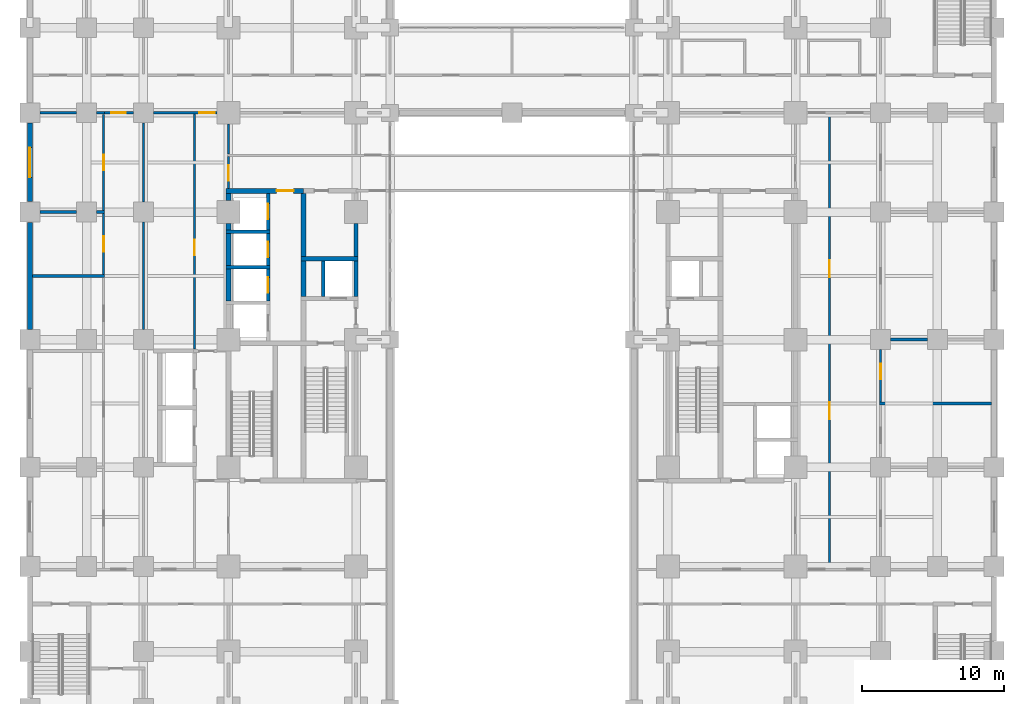
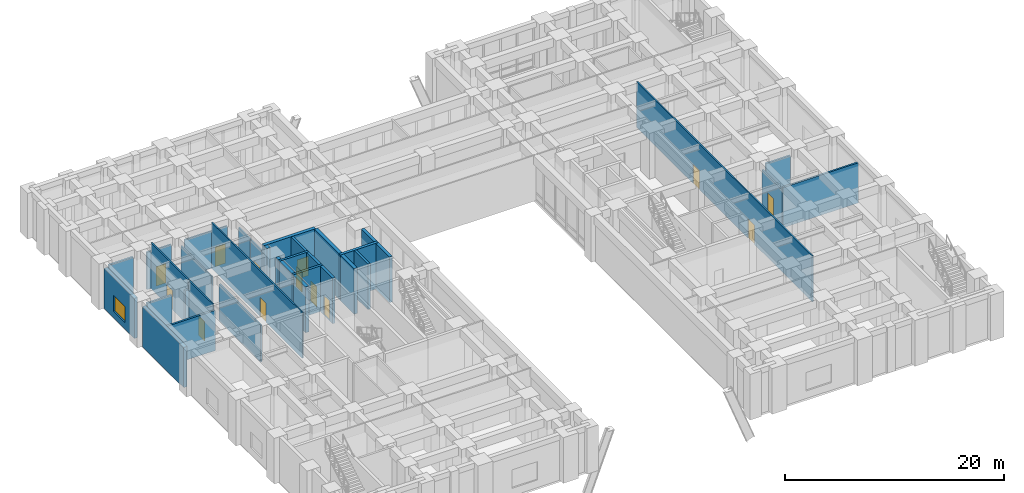
# One storey, part 13 of 23: 36 walls, 13 doors, 1 window, 14 openings.
"""IFC4 building model written with IfcOpenShell, lengths in metres."""

from ifc_helpers import new_model, si_unit, direction, frame, frame_2d, origin, place, context, subcontext, project, spatial, rectangle, extrude, material, layer, layer_set, type_object, element, fill, save


model = new_model("IFC4")

# Units and contexts
model_context = context("Model", 3, precision=1e-05, world=origin(), true_north=direction((0.0, 1.0)))
body_context = subcontext(model_context, "Body", "Model", "MODEL_VIEW")
ifc_project = project(units=[si_unit("LENGTHUNIT", "METRE"), si_unit("AREAUNIT", "SQUARE_METRE"), si_unit("VOLUMEUNIT", "CUBIC_METRE"), si_unit("PLANEANGLEUNIT", "RADIAN"), si_unit("MASSUNIT", "GRAM", prefix="KILO")], contexts=[model_context])

# Site, building, storey
site_placement = place(None, origin())
site = spatial("IfcSite", under=ifc_project, at=site_placement, CompositionType="ELEMENT")
building_placement = place(site_placement, origin())
building = spatial("IfcBuilding", under=site, at=building_placement, Name="Zulmaris Gate Convention Tower", CompositionType="ELEMENT")
storey_placement = place(building_placement, frame((0.0, 0.0, 10.8798828125)))
storey = spatial("IfcBuildingStorey", under=building, at=storey_placement, Name="L02", CompositionType="ELEMENT", Elevation=10.8798828125)

# Walls
ifc_material_1 = material(Name="Concrete C50/60", Category="concrete")
ifc_layer_1 = layer(ifc_material_1, 0.25, Name="Concrete C50/60")
ifc_layer_set_1 = layer_set([ifc_layer_1], Name="Concrete C50/60")
wall_type_1 = type_object("IfcWallType", Name="CORE-250", PredefinedType="SOLIDWALL", material=ifc_layer_set_1)
for number, where, z_axis, x_axis, name in (
    (1, (-20.175048828125, 5.10009765625, 0.0), (0.0, 0.0, 1.0), (1.0, 0.0, 0.0), "WL-L02-019"),
    (2, (-20.175048828125, 7.60009765625, 0.0), (0.0, 0.0, 1.0), (1.0, 0.0, 0.0), "WL-L02-022"),
):
    element("IfcWall", number, at=place(storey_placement, frame(where, z_axis=z_axis, x_axis=x_axis)), inside=storey, type_object=wall_type_1, Name=name, PredefinedType="SOLIDWALL", context=body_context, shape_type="SweptSolid", body=[
        extrude(rectangle(XDim=3.10009765625, YDim=0.25, at=frame_2d((1.550048828125, 0.0))), origin(), (0.0, 0.0, 1.0), 5.09033203125),
    ])

# Wall, opening, door
wall_1_placement = place(storey_placement, frame((-17.199951171875, 2.72705078125, 0.0), z_axis=(0.0, 0.0, 1.0), x_axis=(0.0, 1.0, 0.0)))
wall_1 = element("IfcWall", 3, at=wall_1_placement, inside=storey, type_object=wall_type_1, Name="WL-L02-077", PredefinedType="SOLIDWALL", context=body_context, shape_type="SweptSolid", body=[
    extrude(rectangle(XDim=2.245849609375, YDim=0.25, at=frame_2d((1.123046875, 0.0))), origin(), (0.0, 0.0, 1.0), 5.09033203125),
])
opening_1_placement = place(wall_1_placement, frame((0.572998046875, 0.0, 0.0)))
opening_1 = element("IfcOpeningElement", 4, at=opening_1_placement, cuts=wall_1, Name="Opening D-06", PredefinedType="OPENING", context=body_context, shape_type="SweptSolid", body=[
    extrude(rectangle(XDim=1.10009765625, YDim=2.199951171875, at=frame_2d((0.550048828125, 1.10009765625))), frame((0.0, 0.135009765625, 0.0), z_axis=(0.0, -1.0, 0.0), x_axis=(1.0, 0.0, 0.0)), (0.0, 0.0, 1.0), 0.27001953125),
])
ifc_material_2 = material(Name="Brushed Stainless Steel", Category="steel")
door_type_1 = type_object("IfcDoorType", Name="LD-1100", OperationType="NOTDEFINED", PredefinedType="DOOR", material=ifc_material_2)
door_1_placement = place(opening_1_placement, origin())
door_1 = element("IfcDoor", 5, at=door_1_placement, inside=storey, type_object=door_type_1, Name="L02 Lift Landing Door LP-02 12", OperationType="SLIDING_TO_LEFT", OverallHeight=2.199951171875, OverallWidth=1.10009765625, PredefinedType="DOOR", context=body_context, shape_type="SweptSolid", body=[
    extrude(rectangle(XDim=1.10009765625, YDim=2.199951171875, at=frame_2d((0.550048828125, 1.10009765625))), frame((0.0, 0.02490234375, 0.0), z_axis=(0.0, -1.0, 0.0), x_axis=(1.0, 0.0, 0.0)), (0.0, 0.0, 1.0), 0.050048828125),
])
fill(opening_1, door_1)

wall_2_placement = place(storey_placement, frame((-17.199951171875, 5.22705078125, 0.0), z_axis=(0.0, 0.0, 1.0), x_axis=(0.0, 1.0, 0.0)))
wall_2 = element("IfcWall", 6, at=wall_2_placement, inside=storey, type_object=wall_type_1, Name="WL-L02-078", PredefinedType="SOLIDWALL", context=body_context, shape_type="SweptSolid", body=[
    extrude(rectangle(XDim=2.245849609375, YDim=0.25, at=frame_2d((1.123046875, 0.0))), origin(), (0.0, 0.0, 1.0), 5.09033203125),
])
opening_2_placement = place(wall_2_placement, frame((0.572998046875, 0.0, 0.0)))
opening_2 = element("IfcOpeningElement", 7, at=opening_2_placement, cuts=wall_2, Name="Opening D-06", PredefinedType="OPENING", context=body_context, shape_type="SweptSolid", body=[
    extrude(rectangle(XDim=1.10009765625, YDim=2.199951171875, at=frame_2d((0.550048828125, 1.10009765625))), frame((0.0, 0.135009765625, 0.0), z_axis=(0.0, -1.0, 0.0), x_axis=(1.0, 0.0, 0.0)), (0.0, 0.0, 1.0), 0.27001953125),
])
door_2_placement = place(opening_2_placement, origin())
door_2 = element("IfcDoor", 8, at=door_2_placement, inside=storey, type_object=door_type_1, Name="L02 Lift Landing Door LP-03 13", OperationType="SLIDING_TO_LEFT", OverallHeight=2.199951171875, OverallWidth=1.10009765625, PredefinedType="DOOR", context=body_context, shape_type="SweptSolid", body=[
    extrude(rectangle(XDim=1.10009765625, YDim=2.199951171875, at=frame_2d((0.550048828125, 1.10009765625))), frame((0.0, 0.02490234375, 0.0), z_axis=(0.0, -1.0, 0.0), x_axis=(1.0, 0.0, 0.0)), (0.0, 0.0, 1.0), 0.050048828125),
])
fill(opening_2, door_2)

wall_3_placement = place(storey_placement, frame((-17.199951171875, 7.72705078125, 0.0), z_axis=(0.0, 0.0, 1.0), x_axis=(0.0, 1.0, 0.0)))
wall_3 = element("IfcWall", 9, at=wall_3_placement, inside=storey, type_object=wall_type_1, Name="WL-L02-079", PredefinedType="SOLIDWALL", context=body_context, shape_type="SweptSolid", body=[
    extrude(rectangle(XDim=2.595947265625, YDim=0.25, at=frame_2d((1.2978515625, 0.0))), origin(), (0.0, 0.0, 1.0), 5.09033203125),
])
opening_3_placement = place(wall_3_placement, frame((0.77294921875, 0.0, 0.0)))
opening_3 = element("IfcOpeningElement", 10, at=opening_3_placement, cuts=wall_3, Name="Opening D-06", PredefinedType="OPENING", context=body_context, shape_type="SweptSolid", body=[
    extrude(rectangle(XDim=1.10009765625, YDim=2.199951171875, at=frame_2d((0.550048828125, 1.10009765625))), frame((0.0, 0.135009765625, 0.0), z_axis=(0.0, -1.0, 0.0), x_axis=(1.0, 0.0, 0.0)), (0.0, 0.0, 1.0), 0.27001953125),
])
door_3_placement = place(opening_3_placement, origin())
door_3 = element("IfcDoor", 11, at=door_3_placement, inside=storey, type_object=door_type_1, Name="L02 Lift Landing Door LP-04 14", OperationType="SLIDING_TO_LEFT", OverallHeight=2.199951171875, OverallWidth=1.10009765625, PredefinedType="DOOR", context=body_context, shape_type="SweptSolid", body=[
    extrude(rectangle(XDim=1.10009765625, YDim=2.199951171875, at=frame_2d((0.550048828125, 1.10009765625))), frame((0.0, 0.02490234375, 0.0), z_axis=(0.0, -1.0, 0.0), x_axis=(1.0, 0.0, 0.0)), (0.0, 0.0, 1.0), 0.050048828125),
])
fill(opening_3, door_3)

# Walls
wall_4_placement = place(storey_placement, frame((-13.300048828125, 3.052001953125, 0.0), z_axis=(0.0, 0.0, 1.0), x_axis=(0.0, 1.0, 0.0)))
element("IfcWall", 12, at=wall_4_placement, inside=storey, type_object=wall_type_1, Name="WL-L02-085", PredefinedType="SOLIDWALL", context=body_context, shape_type="SweptSolid", body=[
    extrude(rectangle(XDim=2.49609375, YDim=0.25, at=frame_2d((1.248046875, 0.0))), origin(), (0.0, 0.0, 1.0), 5.09033203125),
])
ifc_layer_2 = layer(ifc_material_1, 0.300048828125, Name="Concrete C50/60")
ifc_layer_set_2 = layer_set([ifc_layer_2], Name="Concrete C50/60")
wall_type_2 = type_object("IfcWallType", Name="CORE-300", PredefinedType="SHEAR", material=ifc_layer_set_2)
wall_5_placement = place(storey_placement, frame((-14.875, 5.699951171875, 0.0), z_axis=(0.0, 0.0, 1.0), x_axis=(1.0, 0.0, 0.0)))
element("IfcWall", 13, at=wall_5_placement, inside=storey, type_object=wall_type_2, Name="WL-L02-020", PredefinedType="SHEAR", context=body_context, shape_type="SweptSolid", body=[
    extrude(rectangle(XDim=4.02490234375, YDim=0.300048828125, at=frame_2d((2.012451171875, 0.0))), origin(), (0.0, 0.0, 1.0), 5.09033203125),
])
wall_6_placement = place(storey_placement, frame((-11.0, 3.052001953125, 0.0), z_axis=(0.0, 0.0, 1.0), x_axis=(0.0, 1.0, 0.0)))
element("IfcWall", 14, at=wall_6_placement, inside=storey, type_object=wall_type_2, Name="WL-L02-089", PredefinedType="SHEAR", context=body_context, shape_type="SweptSolid", body=[
    extrude(rectangle(XDim=2.49609375, YDim=0.300048828125, at=frame_2d((1.248046875, 0.0))), origin(), (0.0, 0.0, 1.0), 5.09033203125),
])
wall_7_placement = place(storey_placement, frame((-11.0, 5.85205078125, 0.0), z_axis=(0.0, 0.0, 1.0), x_axis=(0.0, 1.0, 0.0)))
element("IfcWall", 15, at=wall_7_placement, inside=storey, type_object=wall_type_2, Name="WL-L02-090", PredefinedType="SHEAR", context=body_context, shape_type="SweptSolid", body=[
    extrude(rectangle(XDim=2.343994140625, YDim=0.300048828125, at=frame_2d((1.171875, 0.0))), origin(), (0.0, 0.0, 1.0), 5.09033203125),
])

# Wall, opening, door
ifc_material_3 = material(Name="Concrete C55/67", Category="concrete")
ifc_layer_3 = layer(ifc_material_3, 0.35009765625, Name="Concrete C55/67")
ifc_layer_set_3 = layer_set([ifc_layer_3], Name="Concrete C55/67")
wall_type_3 = type_object("IfcWallType", Name="CORE-350", PredefinedType="SHEAR", material=ifc_layer_set_3)
wall_8_placement = place(storey_placement, frame((-20.175048828125, 10.5, 0.0), z_axis=(0.0, 0.0, 1.0), x_axis=(1.0, 0.0, 0.0)))
wall_8 = element("IfcWall", 16, at=wall_8_placement, inside=storey, type_object=wall_type_3, Name="WL-L02-023", PredefinedType="SHEAR", context=body_context, shape_type="SweptSolid", body=[
    extrude(rectangle(XDim=5.47509765625, YDim=0.35009765625, at=frame_2d((2.737548828125, 0.0))), origin(), (0.0, 0.0, 1.0), 5.09033203125),
])
opening_4_placement = place(wall_8_placement, frame((3.574951171875, 0.0, 0.0)))
opening_4 = element("IfcOpeningElement", 17, at=opening_4_placement, cuts=wall_8, Name="Opening D-13", PredefinedType="OPENING", context=body_context, shape_type="SweptSolid", body=[
    extrude(rectangle(XDim=1.199951171875, YDim=2.14990234375, at=frame_2d((0.60009765625, 1.074951171875))), frame((0.0, 0.18505859375, 0.0), z_axis=(0.0, -1.0, 0.0), x_axis=(1.0, 0.0, 0.0)), (0.0, 0.0, 1.0), 0.3701171875),
])
ifc_material_4 = material(Name="Fire-Rated Steel", Category="steel")
door_type_2 = type_object("IfcDoorType", Name="DR-1200-FD", OperationType="NOTDEFINED", PredefinedType="DOOR", material=ifc_material_4)
door_4_placement = place(opening_4_placement, origin())
door_4 = element("IfcDoor", 18, at=door_4_placement, inside=storey, type_object=door_type_2, Name="L02 Low-Rise Lift Lobby Door 10", OperationType="SINGLE_SWING_LEFT", OverallHeight=2.14990234375, OverallWidth=1.199951171875, PredefinedType="DOOR", context=body_context, shape_type="SweptSolid", body=[
    extrude(rectangle(XDim=1.199951171875, YDim=2.14990234375, at=frame_2d((0.60009765625, 1.074951171875))), frame((0.0, 0.02490234375, 0.0), z_axis=(0.0, -1.0, 0.0), x_axis=(1.0, 0.0, 0.0)), (0.0, 0.0, 1.0), 0.050048828125),
])
fill(opening_4, door_4)

# Walls
for number, where, z_axis, x_axis, name in (
    (19, (-20.0, 2.72705078125, 0.0), (0.0, 0.0, 1.0), (0.0, 1.0, 0.0), "WL-L02-073"),
    (20, (-20.0, 5.22705078125, 0.0), (0.0, 0.0, 1.0), (0.0, 1.0, 0.0), "WL-L02-074"),
):
    element("IfcWall", number, at=place(storey_placement, frame(where, z_axis=z_axis, x_axis=x_axis)), inside=storey, type_object=wall_type_3, Name=name, PredefinedType="SHEAR", context=body_context, shape_type="SweptSolid", body=[
        extrude(rectangle(XDim=2.245849609375, YDim=0.35009765625, at=frame_2d((1.123046875, 0.0))), origin(), (0.0, 0.0, 1.0), 5.09033203125),
    ])
wall_9_placement = place(storey_placement, frame((-20.0, 7.72705078125, 0.0), z_axis=(0.0, 0.0, 1.0), x_axis=(0.0, 1.0, 0.0)))
element("IfcWall", 21, at=wall_9_placement, inside=storey, type_object=wall_type_3, Name="WL-L02-075", PredefinedType="SHEAR", context=body_context, shape_type="SweptSolid", body=[
    extrude(rectangle(XDim=0.468994140625, YDim=0.35009765625, at=frame_2d((0.234375, 0.0))), origin(), (0.0, 0.0, 1.0), 5.09033203125),
])
wall_10_placement = place(storey_placement, frame((-20.0, 9.803955078125, 0.0), z_axis=(0.0, 0.0, 1.0), x_axis=(0.0, 1.0, 0.0)))
element("IfcWall", 22, at=wall_10_placement, inside=storey, type_object=wall_type_3, Name="WL-L02-075S1", PredefinedType="SHEAR", context=body_context, shape_type="SweptSolid", body=[
    extrude(rectangle(XDim=0.51904296875, YDim=0.35009765625, at=frame_2d((0.259521484375, 0.0))), origin(), (0.0, 0.0, 1.0), 5.09033203125),
])
wall_11_placement = place(storey_placement, frame((-14.699951171875, 3.052001953125, 0.0), z_axis=(0.0, 0.0, 1.0), x_axis=(0.0, 1.0, 0.0)))
element("IfcWall", 23, at=wall_11_placement, inside=storey, type_object=wall_type_3, Name="WL-L02-083", PredefinedType="SHEAR", context=body_context, shape_type="SweptSolid", body=[
    extrude(rectangle(XDim=2.49609375, YDim=0.35009765625, at=frame_2d((1.248046875, 0.0))), origin(), (0.0, 0.0, 1.0), 5.09033203125),
])
wall_12_placement = place(storey_placement, frame((-14.699951171875, 5.85205078125, 0.0), z_axis=(0.0, 0.0, 1.0), x_axis=(0.0, 1.0, 0.0)))
element("IfcWall", 24, at=wall_12_placement, inside=storey, type_object=wall_type_3, Name="WL-L02-084", PredefinedType="SHEAR", context=body_context, shape_type="SweptSolid", body=[
    extrude(rectangle(XDim=4.470947265625, YDim=0.35009765625, at=frame_2d((2.2353515625, 0.0))), origin(), (0.0, 0.0, 1.0), 5.09033203125),
])

# Wall, opening, door
ifc_material_5 = material(Name="Gypsum Metal Stud Partition")
ifc_layer_4 = layer(ifc_material_5, 0.14990234375, Name="Gypsum Metal Stud Partition")
ifc_layer_set_4 = layer_set([ifc_layer_4], Name="Gypsum Metal Stud Partition")
wall_type_4 = type_object("IfcWallType", Name="PART-150", PredefinedType="PARTITIONING", material=ifc_layer_set_4)
wall_13_placement = place(storey_placement, frame((-28.875, 16.0, 0.0), z_axis=(0.0, 0.0, 1.0), x_axis=(1.0, 0.0, 0.0)))
wall_13 = element("IfcWall", 25, at=wall_13_placement, inside=storey, type_object=wall_type_4, Name="WL-L02-056", PredefinedType="PARTITIONING", context=body_context, shape_type="SweptSolid", body=[
    extrude(rectangle(XDim=2.1689453125, YDim=0.14990234375, at=frame_2d((1.08447265625, 0.0))), origin(), (0.0, 0.0, 1.0), 4.13232421875),
])
opening_5_placement = place(wall_13_placement, frame((0.60009765625, 0.0, 0.0)))
opening_5 = element("IfcOpeningElement", 26, at=opening_5_placement, cuts=wall_13, Name="Opening D-09", PredefinedType="OPENING", context=body_context, shape_type="SweptSolid", body=[
    extrude(rectangle(XDim=1.050048828125, YDim=2.14990234375, at=frame_2d((0.52490234375, 1.074951171875))), frame((0.0, 0.0849609375, 0.0), z_axis=(0.0, -1.0, 0.0), x_axis=(1.0, 0.0, 0.0)), (0.0, 0.0, 1.0), 0.169921875),
])
door_type_3 = type_object("IfcDoorType", Name="DR-1050-FD", OperationType="NOTDEFINED", PredefinedType="DOOR", material=ifc_material_4)
door_5_placement = place(opening_5_placement, origin())
door_5 = element("IfcDoor", 27, at=door_5_placement, inside=storey, type_object=door_type_3, Name="L02 West Promenade North Concourse Door 60", OperationType="SINGLE_SWING_LEFT", OverallHeight=2.14990234375, OverallWidth=1.050048828125, PredefinedType="DOOR", context=body_context, shape_type="SweptSolid", body=[
    extrude(rectangle(XDim=1.050048828125, YDim=2.14990234375, at=frame_2d((0.52490234375, 1.074951171875))), frame((0.0, 0.02490234375, 0.0), z_axis=(0.0, -1.0, 0.0), x_axis=(1.0, 0.0, 0.0)), (0.0, 0.0, 1.0), 0.050048828125),
])
fill(opening_5, door_5)

wall_14_placement = place(storey_placement, frame((-25.2939453125, 16.0, 0.0), z_axis=(0.0, 0.0, 1.0), x_axis=(1.0, 0.0, 0.0)))
wall_14 = element("IfcWall", 28, at=wall_14_placement, inside=storey, type_object=wall_type_4, Name="WL-L02-056S1", PredefinedType="PARTITIONING", context=body_context, shape_type="SweptSolid", body=[
    extrude(rectangle(XDim=4.488037109375, YDim=0.14990234375, at=frame_2d((2.244140625, 0.0))), origin(), (0.0, 0.0, 1.0), 4.13232421875),
])
opening_6_placement = place(wall_14_placement, frame((3.238037109375, 0.0, 0.0)))
opening_6 = element("IfcOpeningElement", 29, at=opening_6_placement, cuts=wall_14, Name="Opening D-08", PredefinedType="OPENING", context=body_context, shape_type="SweptSolid", body=[
    extrude(rectangle(XDim=1.10009765625, YDim=2.14990234375, at=frame_2d((0.550048828125, 1.074951171875))), frame((0.0, 0.0849609375, 0.0), z_axis=(0.0, -1.0, 0.0), x_axis=(1.0, 0.0, 0.0)), (0.0, 0.0, 1.0), 0.169921875),
])
door_type_4 = type_object("IfcDoorType", Name="DR-1100-FD", OperationType="NOTDEFINED", PredefinedType="DOOR", material=ifc_material_4)
door_6_placement = place(opening_6_placement, origin())
door_6 = element("IfcDoor", 30, at=door_6_placement, inside=storey, type_object=door_type_4, Name="L02 West Concourse Link Door 31", OperationType="SINGLE_SWING_RIGHT", OverallHeight=2.14990234375, OverallWidth=1.10009765625, PredefinedType="DOOR", context=body_context, shape_type="SweptSolid", body=[
    extrude(rectangle(XDim=1.10009765625, YDim=2.14990234375, at=frame_2d((0.550048828125, 1.074951171875))), frame((0.0, 0.02490234375, 0.0), z_axis=(0.0, -1.0, 0.0), x_axis=(1.0, 0.0, 0.0)), (0.0, 0.0, 1.0), 0.050048828125),
])
fill(opening_6, door_6)

wall_15_placement = place(storey_placement, frame((-28.800048828125, 4.60302734375, 0.0), z_axis=(0.0, 0.0, 1.0), x_axis=(0.0, 1.0, 0.0)))
wall_15 = element("IfcWall", 31, at=wall_15_placement, inside=storey, type_object=wall_type_4, Name="WL-L02-112", PredefinedType="PARTITIONING", context=body_context, shape_type="SweptSolid", body=[
    extrude(rectangle(XDim=4.2939453125, YDim=0.14990234375, at=frame_2d((2.14697265625, 0.0))), origin(), (0.0, 0.0, 1.0), 5.09033203125),
])
opening_7_placement = place(wall_15_placement, frame((1.596923828125, 0.0, 0.0)))
opening_7 = element("IfcOpeningElement", 32, at=opening_7_placement, cuts=wall_15, Name="Opening D-08", PredefinedType="OPENING", context=body_context, shape_type="SweptSolid", body=[
    extrude(rectangle(XDim=1.10009765625, YDim=2.14990234375, at=frame_2d((0.550048828125, 1.074951171875))), frame((0.0, 0.0849609375, 0.0), z_axis=(0.0, -1.0, 0.0), x_axis=(1.0, 0.0, 0.0)), (0.0, 0.0, 1.0), 0.169921875),
])
door_7_placement = place(opening_7_placement, origin())
door_7 = element("IfcDoor", 33, at=door_7_placement, inside=storey, type_object=door_type_4, Name="L02 West Room WU2 Door 64", OperationType="SINGLE_SWING_LEFT", OverallHeight=2.14990234375, OverallWidth=1.10009765625, PredefinedType="DOOR", context=body_context, shape_type="SweptSolid", body=[
    extrude(rectangle(XDim=1.10009765625, YDim=2.14990234375, at=frame_2d((0.550048828125, 1.074951171875))), frame((0.0, 0.02490234375, 0.0), z_axis=(0.0, -1.0, 0.0), x_axis=(1.0, 0.0, 0.0)), (0.0, 0.0, 1.0), 0.050048828125),
])
fill(opening_7, door_7)

wall_16_placement = place(storey_placement, frame((-28.800048828125, 9.10302734375, 0.0), z_axis=(0.0, 0.0, 1.0), x_axis=(0.0, 1.0, 0.0)))
wall_16 = element("IfcWall", 34, at=wall_16_placement, inside=storey, type_object=wall_type_4, Name="WL-L02-113", PredefinedType="PARTITIONING", context=body_context, shape_type="SweptSolid", body=[
    extrude(rectangle(XDim=6.7939453125, YDim=0.14990234375, at=frame_2d((3.39697265625, 0.0))), origin(), (0.0, 0.0, 1.0), 5.09033203125),
])
opening_8_placement = place(wall_16_placement, frame((2.846923828125, 0.0, 0.0)))
opening_8 = element("IfcOpeningElement", 35, at=opening_8_placement, cuts=wall_16, Name="Opening D-08", PredefinedType="OPENING", context=body_context, shape_type="SweptSolid", body=[
    extrude(rectangle(XDim=1.10009765625, YDim=2.14990234375, at=frame_2d((0.550048828125, 1.074951171875))), frame((0.0, 0.0849609375, 0.0), z_axis=(0.0, -1.0, 0.0), x_axis=(1.0, 0.0, 0.0)), (0.0, 0.0, 1.0), 0.169921875),
])
door_8_placement = place(opening_8_placement, origin())
door_8 = element("IfcDoor", 36, at=door_8_placement, inside=storey, type_object=door_type_4, Name="L02 West Room WU3 Door 65", OperationType="SINGLE_SWING_RIGHT", OverallHeight=2.14990234375, OverallWidth=1.10009765625, PredefinedType="DOOR", context=body_context, shape_type="SweptSolid", body=[
    extrude(rectangle(XDim=1.10009765625, YDim=2.14990234375, at=frame_2d((0.550048828125, 1.074951171875))), frame((0.0, 0.02490234375, 0.0), z_axis=(0.0, -1.0, 0.0), x_axis=(1.0, 0.0, 0.0)), (0.0, 0.0, 1.0), 0.050048828125),
])
fill(opening_8, door_8)

# Walls
wall_17_placement = place(storey_placement, frame((-26.0, 0.7060546875, 0.0), z_axis=(0.0, 0.0, 1.0), x_axis=(0.0, 1.0, 0.0)))
element("IfcWall", 37, at=wall_17_placement, inside=storey, type_object=wall_type_4, Name="WL-L02-118", PredefinedType="PARTITIONING", context=body_context, shape_type="SweptSolid", body=[
    extrude(rectangle(XDim=7.587890625, YDim=0.14990234375, at=frame_2d((3.7939453125, 0.0))), origin(), (0.0, 0.0, 1.0), 4.13232421875),
])
wall_18_placement = place(storey_placement, frame((-26.0, 9.7060546875, 0.0), z_axis=(0.0, 0.0, 1.0), x_axis=(0.0, 1.0, 0.0)))
element("IfcWall", 38, at=wall_18_placement, inside=storey, type_object=wall_type_4, Name="WL-L02-118S1", PredefinedType="PARTITIONING", context=body_context, shape_type="SweptSolid", body=[
    extrude(rectangle(XDim=5.587890625, YDim=0.14990234375, at=frame_2d((2.7939453125, 0.0))), origin(), (0.0, 0.0, 1.0), 4.13232421875),
])

# Wall, opening, door
wall_19_placement = place(storey_placement, frame((-22.39990234375, -0.64697265625, 0.0), z_axis=(0.0, 0.0, 1.0), x_axis=(0.0, 1.0, 0.0)))
wall_19 = element("IfcWall", 39, at=wall_19_placement, inside=storey, type_object=wall_type_4, Name="WL-L02-122", PredefinedType="PARTITIONING", context=body_context, shape_type="SweptSolid", body=[
    extrude(rectangle(XDim=16.569091796875, YDim=0.14990234375, at=frame_2d((8.28466796875, 0.0))), origin(), (0.0, 0.0, 1.0), 5.09033203125),
])
opening_9_placement = place(wall_19_placement, frame((6.596923828125, 0.0, 0.0)))
opening_9 = element("IfcOpeningElement", 40, at=opening_9_placement, cuts=wall_19, Name="Opening D-08", PredefinedType="OPENING", context=body_context, shape_type="SweptSolid", body=[
    extrude(rectangle(XDim=1.10009765625, YDim=2.14990234375, at=frame_2d((0.550048828125, 1.074951171875))), frame((0.0, 0.0849609375, 0.0), z_axis=(0.0, -1.0, 0.0), x_axis=(1.0, 0.0, 0.0)), (0.0, 0.0, 1.0), 0.169921875),
])
door_9_placement = place(opening_9_placement, origin())
door_9 = element("IfcDoor", 41, at=door_9_placement, inside=storey, type_object=door_type_4, Name="L02 West Delegate Lounge Door 27", OperationType="SINGLE_SWING_RIGHT", OverallHeight=2.14990234375, OverallWidth=1.10009765625, PredefinedType="DOOR", context=body_context, shape_type="SweptSolid", body=[
    extrude(rectangle(XDim=1.10009765625, YDim=2.14990234375, at=frame_2d((0.550048828125, 1.074951171875))), frame((0.0, 0.02490234375, 0.0), z_axis=(0.0, -1.0, 0.0), x_axis=(1.0, 0.0, 0.0)), (0.0, 0.0, 1.0), 0.050048828125),
])
fill(opening_9, door_9)

wall_20_placement = place(storey_placement, frame((-20.0, 10.677978515625, 0.0), z_axis=(0.0, 0.0, 1.0), x_axis=(0.0, 1.0, 0.0)))
wall_20 = element("IfcWall", 42, at=wall_20_placement, inside=storey, type_object=wall_type_4, Name="WL-L02-125", PredefinedType="PARTITIONING", context=body_context, shape_type="SweptSolid", body=[
    extrude(rectangle(XDim=2.244140625, YDim=0.14990234375, at=frame_2d((1.1220703125, 0.0))), origin(), (0.0, 0.0, 1.0), 4.13232421875),
])
opening_10_placement = place(wall_20_placement, frame((0.52197265625, 0.0, 0.0)))
opening_10 = element("IfcOpeningElement", 43, at=opening_10_placement, cuts=wall_20, Name="Opening D-08", PredefinedType="OPENING", context=body_context, shape_type="SweptSolid", body=[
    extrude(rectangle(XDim=1.10009765625, YDim=2.14990234375, at=frame_2d((0.550048828125, 1.074951171875))), frame((0.0, 0.0849609375, 0.0), z_axis=(0.0, -1.0, 0.0), x_axis=(1.0, 0.0, 0.0)), (0.0, 0.0, 1.0), 0.169921875),
])
door_10_placement = place(opening_10_placement, origin())
door_10 = element("IfcDoor", 44, at=door_10_placement, inside=storey, type_object=door_type_4, Name="L02 West Passage North Door 39", OperationType="SINGLE_SWING_RIGHT", OverallHeight=2.14990234375, OverallWidth=1.10009765625, PredefinedType="DOOR", context=body_context, shape_type="SweptSolid", body=[
    extrude(rectangle(XDim=1.10009765625, YDim=2.14990234375, at=frame_2d((0.550048828125, 1.074951171875))), frame((0.0, 0.02490234375, 0.0), z_axis=(0.0, -1.0, 0.0), x_axis=(1.0, 0.0, 0.0)), (0.0, 0.0, 1.0), 0.050048828125),
])
fill(opening_10, door_10)

# Wall
wall_21_placement = place(storey_placement, frame((-20.0, 13.077880859375, 0.0), z_axis=(0.0, 0.0, 1.0), x_axis=(0.0, 1.0, 0.0)))
element("IfcWall", 45, at=wall_21_placement, inside=storey, type_object=wall_type_4, Name="WL-L02-126", PredefinedType="PARTITIONING", context=body_context, shape_type="SweptSolid", body=[
    extrude(rectangle(XDim=2.1162109375, YDim=0.14990234375, at=frame_2d((1.05810546875, 0.0))), origin(), (0.0, 0.0, 1.0), 4.13232421875),
])

# Wall, openings, doors
wall_22_placement = place(storey_placement, frame((22.39990234375, -16.1220703125, 0.0), z_axis=(0.0, 0.0, 1.0), x_axis=(0.0, 1.0, 0.0)))
wall_22 = element("IfcWall", 46, at=wall_22_placement, inside=storey, type_object=wall_type_4, Name="WL-L02-146", PredefinedType="PARTITIONING", context=body_context, shape_type="SweptSolid", body=[
    extrude(rectangle(XDim=32.044189453125, YDim=0.14990234375, at=frame_2d((16.02197265625, 0.0))), origin(), (0.0, 0.0, 1.0), 5.09033203125),
])
opening_11_placement = place(wall_22_placement, frame((10.52197265625, 0.0, 0.0)))
opening_11 = element("IfcOpeningElement", 47, at=opening_11_placement, cuts=wall_22, Name="Opening D-13", PredefinedType="OPENING", context=body_context, shape_type="SweptSolid", body=[
    extrude(rectangle(XDim=1.199951171875, YDim=2.14990234375, at=frame_2d((0.60009765625, 1.074951171875))), frame((0.0, 0.0849609375, 0.0), z_axis=(0.0, -1.0, 0.0), x_axis=(1.0, 0.0, 0.0)), (0.0, 0.0, 1.0), 0.169921875),
])
opening_12_placement = place(wall_22_placement, frame((20.52197265625, 0.0, 0.0)))
opening_12 = element("IfcOpeningElement", 48, at=opening_12_placement, cuts=wall_22, Name="Opening D-13", PredefinedType="OPENING", context=body_context, shape_type="SweptSolid", body=[
    extrude(rectangle(XDim=1.199951171875, YDim=2.14990234375, at=frame_2d((0.60009765625, 1.074951171875))), frame((0.0, 0.0849609375, 0.0), z_axis=(0.0, -1.0, 0.0), x_axis=(1.0, 0.0, 0.0)), (0.0, 0.0, 1.0), 0.169921875),
])
door_11_placement = place(opening_11_placement, origin())
door_11 = element("IfcDoor", 49, at=door_11_placement, inside=storey, type_object=door_type_2, Name="L02 East Promenade South Link Door 66", OperationType="SINGLE_SWING_LEFT", OverallHeight=2.14990234375, OverallWidth=1.199951171875, PredefinedType="DOOR", context=body_context, shape_type="SweptSolid", body=[
    extrude(rectangle(XDim=1.199951171875, YDim=2.14990234375, at=frame_2d((0.60009765625, 1.074951171875))), frame((0.0, 0.02490234375, 0.0), z_axis=(0.0, -1.0, 0.0), x_axis=(1.0, 0.0, 0.0)), (0.0, 0.0, 1.0), 0.050048828125),
])
fill(opening_11, door_11)
door_12_placement = place(opening_12_placement, origin())
door_12 = element("IfcDoor", 50, at=door_12_placement, inside=storey, type_object=door_type_2, Name="L02 East Promenade North Link Door 67", OperationType="SINGLE_SWING_RIGHT", OverallHeight=2.14990234375, OverallWidth=1.199951171875, PredefinedType="DOOR", context=body_context, shape_type="SweptSolid", body=[
    extrude(rectangle(XDim=1.199951171875, YDim=2.14990234375, at=frame_2d((0.60009765625, 1.074951171875))), frame((0.0, 0.02490234375, 0.0), z_axis=(0.0, -1.0, 0.0), x_axis=(1.0, 0.0, 0.0)), (0.0, 0.0, 1.0), 0.050048828125),
])
fill(opening_12, door_12)

# Wall, opening, door
wall_23_placement = place(storey_placement, frame((26.0, -4.39697265625, 0.0), z_axis=(0.0, 0.0, 1.0), x_axis=(0.0, 1.0, 0.0)))
wall_23 = element("IfcWall", 51, at=wall_23_placement, inside=storey, type_object=wall_type_4, Name="WL-L02-151", PredefinedType="PARTITIONING", context=body_context, shape_type="SweptSolid", body=[
    extrude(rectangle(XDim=3.69091796875, YDim=0.14990234375, at=frame_2d((1.845458984375, 0.0))), origin(), (0.0, 0.0, 1.0), 4.13232421875),
])
opening_13_placement = place(wall_23_placement, frame((1.596923828125, 0.0, 0.0)))
opening_13 = element("IfcOpeningElement", 52, at=opening_13_placement, cuts=wall_23, Name="Opening D-08", PredefinedType="OPENING", context=body_context, shape_type="SweptSolid", body=[
    extrude(rectangle(XDim=1.10009765625, YDim=2.14990234375, at=frame_2d((0.550048828125, 1.074951171875))), frame((0.0, 0.0849609375, 0.0), z_axis=(0.0, -1.0, 0.0), x_axis=(1.0, 0.0, 0.0)), (0.0, 0.0, 1.0), 0.169921875),
])
door_13_placement = place(opening_13_placement, origin())
door_13 = element("IfcDoor", 53, at=door_13_placement, inside=storey, type_object=door_type_4, Name="L02 East Room E3 Door 72", OperationType="SINGLE_SWING_LEFT", OverallHeight=2.14990234375, OverallWidth=1.10009765625, PredefinedType="DOOR", context=body_context, shape_type="SweptSolid", body=[
    extrude(rectangle(XDim=1.10009765625, YDim=2.14990234375, at=frame_2d((0.550048828125, 1.074951171875))), frame((0.0, 0.02490234375, 0.0), z_axis=(0.0, -1.0, 0.0), x_axis=(1.0, 0.0, 0.0)), (0.0, 0.0, 1.0), 0.050048828125),
])
fill(opening_13, door_13)

# Walls
ifc_material_6 = material(Name="Autoclaved Aerated Concrete Block and Plasterboard", Category="concrete")
ifc_layer_5 = layer(ifc_material_6, 0.199951171875, Name="Autoclaved Aerated Concrete Block and Plasterboard")
ifc_layer_set_5 = layer_set([ifc_layer_5], Name="Autoclaved Aerated Concrete Block and Plasterboard")
wall_type_5 = type_object("IfcWallType", Name="PART-200", PredefinedType="PARTITIONING", material=ifc_layer_set_5)
wall_24_placement = place(storey_placement, frame((25.925048828125, -4.5, 0.0), z_axis=(0.0, 0.0, 1.0), x_axis=(1.0, 0.0, 0.0)))
element("IfcWall", 54, at=wall_24_placement, inside=storey, type_object=wall_type_5, Name="WL-L02-040", PredefinedType="PARTITIONING", context=body_context, shape_type="SweptSolid", body=[
    extrude(rectangle(XDim=7.909912109375, YDim=0.199951171875, at=frame_2d((3.955078125, 0.0))), origin(), (0.0, 0.0, 1.0), 4.480224609375),
])
wall_25_placement = place(storey_placement, frame((26.7060546875, 0.0, 0.0), z_axis=(0.0, 0.0, 1.0), x_axis=(1.0, 0.0, 0.0)))
element("IfcWall", 55, at=wall_25_placement, inside=storey, type_object=wall_type_5, Name="WL-L02-045", PredefinedType="PARTITIONING", context=body_context, shape_type="SweptSolid", body=[
    extrude(rectangle(XDim=2.587890625, YDim=0.199951171875, at=frame_2d((1.2939453125, 0.0))), origin(), (0.0, 0.0, 1.0), 4.13232421875),
])
wall_26_placement = place(storey_placement, frame((-33.8349609375, 4.5, 0.0), z_axis=(0.0, 0.0, 1.0), x_axis=(1.0, 0.0, 0.0)))
element("IfcWall", 56, at=wall_26_placement, inside=storey, type_object=wall_type_5, Name="WL-L02-046", PredefinedType="PARTITIONING", context=body_context, shape_type="SweptSolid", body=[
    extrude(rectangle(XDim=5.10986328125, YDim=0.199951171875, at=frame_2d((2.554931640625, 0.0))), origin(), (0.0, 0.0, 1.0), 4.480224609375),
])
wall_27_placement = place(storey_placement, frame((-33.2939453125, 9.0, 0.0), z_axis=(0.0, 0.0, 1.0), x_axis=(1.0, 0.0, 0.0)))
element("IfcWall", 57, at=wall_27_placement, inside=storey, type_object=wall_type_5, Name="WL-L02-047", PredefinedType="PARTITIONING", context=body_context, shape_type="SweptSolid", body=[
    extrude(rectangle(XDim=2.587890625, YDim=0.199951171875, at=frame_2d((1.2939453125, 0.0))), origin(), (0.0, 0.0, 1.0), 4.13232421875),
])
wall_28_placement = place(storey_placement, frame((-29.2939453125, 9.0, 0.0), z_axis=(0.0, 0.0, 1.0), x_axis=(1.0, 0.0, 0.0)))
element("IfcWall", 58, at=wall_28_placement, inside=storey, type_object=wall_type_5, Name="WL-L02-047S1", PredefinedType="PARTITIONING", context=body_context, shape_type="SweptSolid", body=[
    extrude(rectangle(XDim=0.56884765625, YDim=0.199951171875, at=frame_2d((0.284423828125, 0.0))), origin(), (0.0, 0.0, 1.0), 4.13232421875),
])
wall_29_placement = place(storey_placement, frame((-33.2939453125, 16.0, 0.0), z_axis=(0.0, 0.0, 1.0), x_axis=(1.0, 0.0, 0.0)))
element("IfcWall", 59, at=wall_29_placement, inside=storey, type_object=wall_type_5, Name="WL-L02-055", PredefinedType="PARTITIONING", context=body_context, shape_type="SweptSolid", body=[
    extrude(rectangle(XDim=2.587890625, YDim=0.199951171875, at=frame_2d((1.2939453125, 0.0))), origin(), (0.0, 0.0, 1.0), 4.13232421875),
])
wall_30_placement = place(storey_placement, frame((-29.2939453125, 16.0, 0.0), z_axis=(0.0, 0.0, 1.0), x_axis=(1.0, 0.0, 0.0)))
element("IfcWall", 60, at=wall_30_placement, inside=storey, type_object=wall_type_5, Name="WL-L02-055S1", PredefinedType="PARTITIONING", context=body_context, shape_type="SweptSolid", body=[
    extrude(rectangle(XDim=0.56884765625, YDim=0.199951171875, at=frame_2d((0.284423828125, 0.0))), origin(), (0.0, 0.0, 1.0), 4.13232421875),
])
ifc_material_7 = material(Name="Precast concrete C45/55", Category="concrete")
ifc_layer_6 = layer(ifc_material_7, 0.35009765625, Name="Precast concrete C45/55")
ifc_layer_set_6 = layer_set([ifc_layer_6], Name="Precast concrete C45/55")
wall_type_6 = type_object("IfcWallType", Name="PRECAST-POD-350", PredefinedType="STANDARD", material=ifc_layer_set_6)
wall_31_placement = place(storey_placement, frame((-34.0, 0.72998046875, 0.0), z_axis=(0.0, 0.0, 1.0), x_axis=(0.0, 1.0, 0.0)))
element("IfcWall", 61, at=wall_31_placement, inside=storey, type_object=wall_type_6, Name="EW-L02-W-0_0", PredefinedType="STANDARD", context=body_context, shape_type="SweptSolid", body=[
    extrude(rectangle(XDim=7.5400390625, YDim=0.35009765625, at=frame_2d((3.77001953125, 0.0))), origin(), (0.0, 0.0, 1.0), 4.482177734375),
])

# Wall, opening, window
wall_32_placement = place(storey_placement, frame((-34.0, 9.72998046875, 0.0), z_axis=(0.0, 0.0, 1.0), x_axis=(0.0, 1.0, 0.0)))
wall_32 = element("IfcWall", 62, at=wall_32_placement, inside=storey, type_object=wall_type_6, Name="EW-L02-W-9_0", PredefinedType="STANDARD", context=body_context, shape_type="SweptSolid", body=[
    extrude(rectangle(XDim=5.5400390625, YDim=0.35009765625, at=frame_2d((2.77001953125, 0.0))), origin(), (0.0, 0.0, 1.0), 4.482177734375),
])
opening_14_placement = place(wall_32_placement, frame((1.719970703125, 0.0, 0.75)))
opening_14 = element("IfcOpeningElement", 63, at=opening_14_placement, cuts=wall_32, Name="Opening W-05", PredefinedType="OPENING", context=body_context, shape_type="SweptSolid", body=[
    extrude(rectangle(XDim=2.10009765625, YDim=1.75, at=frame_2d((1.050048828125, 0.875))), frame((0.0, 0.18505859375, 0.0), z_axis=(0.0, -1.0, 0.0), x_axis=(1.0, 0.0, 0.0)), (0.0, 0.0, 1.0), 0.3701171875),
])
ifc_material_8 = material(Name="Low-E Laminated Double Glazing in Aluminium Frame", Category="aluminium")
window_type = type_object("IfcWindowType", Name="WIN-2100x2400", PartitioningType="SINGLE_PANEL", PredefinedType="WINDOW", material=ifc_material_8)
window_placement = place(opening_14_placement, origin())
window = element("IfcWindow", 64, at=window_placement, inside=storey, type_object=window_type, Name="WN-EW-L02-W-9_0", OverallHeight=1.75, OverallWidth=2.10009765625, PartitioningType="SINGLE_PANEL", PredefinedType="WINDOW", context=body_context, shape_type="SweptSolid", body=[
    extrude(rectangle(XDim=2.10009765625, YDim=1.75, at=frame_2d((1.050048828125, 0.875))), frame((0.0, 0.030029296875, 0.0), z_axis=(0.0, -1.0, 0.0), x_axis=(1.0, 0.0, 0.0)), (0.0, 0.0, 1.0), 0.06005859375),
])
fill(opening_14, window)

save(model, "model.ifc")
